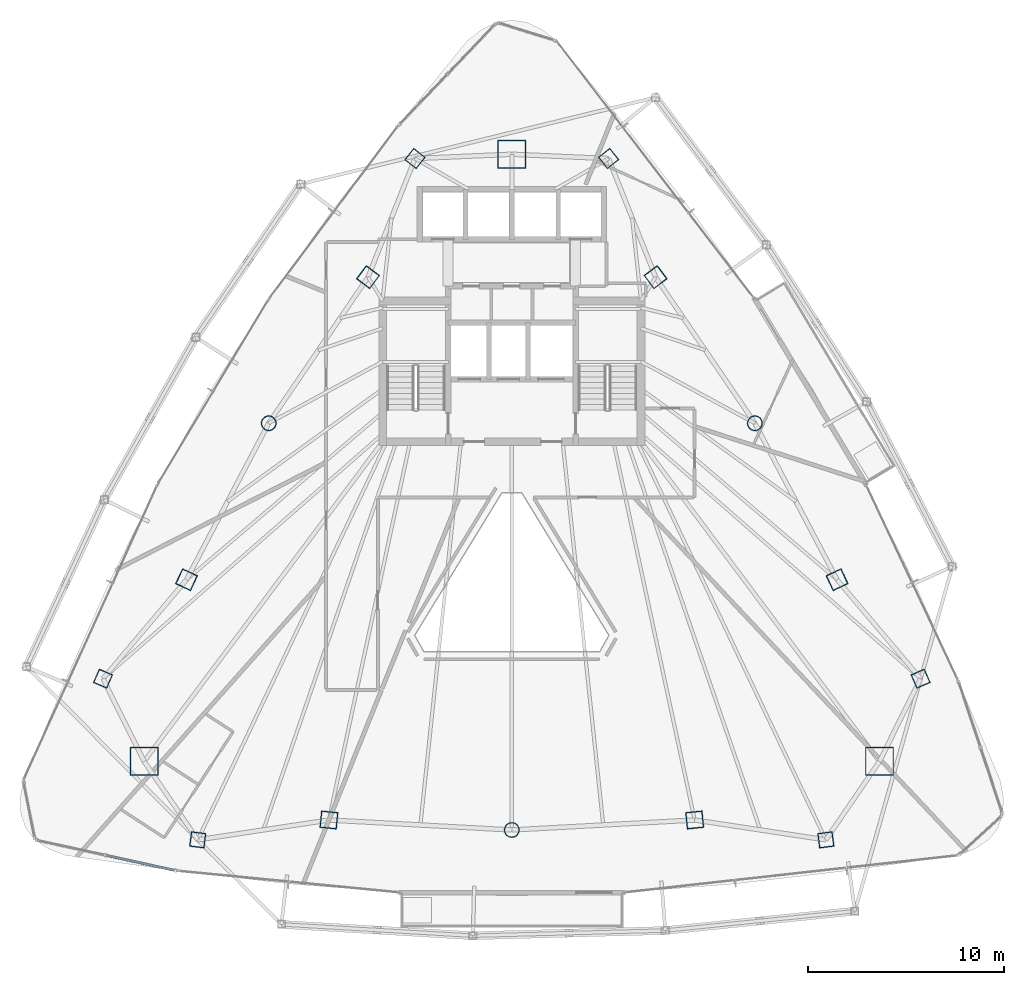
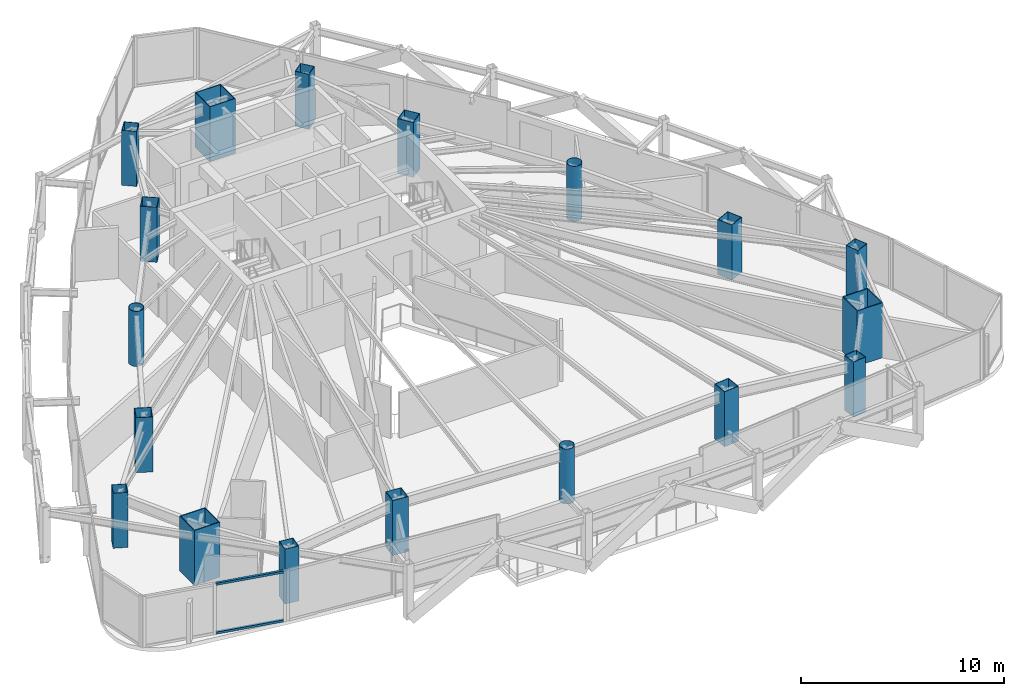
# One storey, part 1 of 31: 18 columns, 2 members, 1 element without a shape of its own.
"""IFC4 building model written with IfcOpenShell, lengths in metres."""

from ifc_helpers import new_model, si_unit, direction, frame, origin, origin_2d, place, context, subcontext, project, spatial, hollow_rectangle, hollow_circle, extrude, material, layer, layer_set, material_profile, profile_set, type_object, element, aggregate, save


model = new_model("IFC4")

# Units and contexts
model_context = context("Model", 3, precision=1e-05, world=origin(), true_north=direction((0.0, 1.0)))
body_context = subcontext(model_context, "Body", "Model", "MODEL_VIEW")
ifc_project = project(units=[si_unit("LENGTHUNIT", "METRE"), si_unit("AREAUNIT", "SQUARE_METRE"), si_unit("VOLUMEUNIT", "CUBIC_METRE"), si_unit("PLANEANGLEUNIT", "RADIAN"), si_unit("MASSUNIT", "GRAM", prefix="KILO")], contexts=[model_context])

# Site, building, storey
site_placement = place(None, origin())
site = spatial("IfcSite", under=ifc_project, at=site_placement, CompositionType="ELEMENT")
building_placement = place(site_placement, origin())
building = spatial("IfcBuilding", under=site, at=building_placement, Name="Orvanel Arch Residences", CompositionType="ELEMENT")
storey_placement = place(building_placement, frame((0.0, 0.0, 150.64990234375)))
storey = spatial("IfcBuildingStorey", under=building, at=storey_placement, Name="L42", CompositionType="ELEMENT", Elevation=150.64990234375)

# Columns
ifc_material_1 = material(Name="Structural steel AS/NZS 1163 C450L0 (Grade 450)", Category="steel")
ifc_material_profile_1 = material_profile(ifc_material_1, hollow_circle(Radius=0.381103515625, WallThickness=0.02197265625, at=origin_2d()), Name="CHS762x22")
ifc_profile_set_1 = profile_set([ifc_material_profile_1], Name="Structural steel AS/NZS 1163 C450L0 (Grade 450)")
column_type_1 = type_object("IfcColumnType", Name="CC-762", PredefinedType="COLUMN", material=ifc_profile_set_1)
for number, where, z_axis, x_axis, name in (
    (1, (20.569091796875, 27.64111328125, 0.0), (0.0, 0.0, 1.0), (1.0, 0.0, 0.0), "L42 High-Rise Tube Column 02"),
    (2, (33.0, 6.843994140625, 0.0), (0.0, 0.0, 1.0), (1.0, 0.0, 0.0), "L42 High-Rise Tube Column 05"),
    (3, (45.430908203125, 27.64111328125, 0.0), (0.0, 0.0, 1.0), (1.0, 0.0, 0.0), "L42 High-Rise Tube Column 08"),
):
    element("IfcColumn", number, at=place(storey_placement, frame(where, z_axis=z_axis, x_axis=x_axis)), inside=storey, type_object=column_type_1, Name=name, PredefinedType="COLUMN", context=body_context, shape_type="SweptSolid", body=[
        extrude(hollow_circle(Radius=0.381103515625, WallThickness=0.02197265625, at=origin_2d()), origin(), (0.0, 0.0, 1.0), 3.300048828125),
    ])
ifc_material_2 = material(Name="Structural steel AS/NZS 3678 Grade 450", Category="steel")
ifc_material_profile_2 = material_profile(ifc_material_2, hollow_rectangle(XDim=1.449951171875, YDim=1.449951171875, WallThickness=0.044921875, at=origin_2d()), Name="BOX1450x1450x45")
ifc_profile_set_2 = profile_set([ifc_material_profile_2], Name="Structural steel AS/NZS 3678 Grade 450")
column_type_2 = type_object("IfcColumnType", Name="MC-1450", PredefinedType="COLUMN", material=ifc_profile_set_2)
for number, where, z_axis, x_axis, name in (
    (4, (33.0, 41.39794921875, 0.0), (0.0, 0.0, 1.0), (1.0, 0.0, 0.0), "L42 Corner Mega-Column 1"),
    (5, (14.198974609375, 10.35107421875, 0.0), (0.0, 0.0, 1.0), (1.0, 0.0, 0.0), "L42 Corner Mega-Column 2"),
    (6, (51.801025390625, 10.35107421875, 0.0), (0.0, 0.0, 1.0), (1.0, 0.0, 0.0), "L42 Corner Mega-Column 3"),
):
    element("IfcColumn", number, at=place(storey_placement, frame(where, z_axis=z_axis, x_axis=x_axis)), inside=storey, type_object=column_type_2, Name=name, PredefinedType="COLUMN", context=body_context, shape_type="SweptSolid", body=[
        extrude(hollow_rectangle(XDim=1.449951171875, YDim=1.449951171875, WallThickness=0.044921875, at=origin_2d()), origin(), (0.0, 0.0, 1.0), 3.300048828125),
    ])
ifc_material_3 = material(Name="Structural steel AS/NZS 3678 Grade 350", Category="steel")
ifc_material_profile_3 = material_profile(ifc_material_3, hollow_rectangle(XDim=0.75, YDim=0.75, WallThickness=0.02490234375, at=origin_2d()), Name="BOX750x750x25")
ifc_profile_set_3 = profile_set([ifc_material_profile_3], Name="Structural steel AS/NZS 3678 Grade 350")
column_type_3 = type_object("IfcColumnType", Name="TC-750", PredefinedType="COLUMN", material=ifc_profile_set_3)
for number, where, z_axis, x_axis, name in (
    (7, (28.050048828125, 41.177978515625, 0.0), (0.0, 0.0, 1.0), (0.623879596709, 0.781520472419, 0.0), "L42 Mid-Rise Buttress Tube Column 01"),
    (8, (12.094970703125, 14.580078125, 0.0), (0.0, 0.0, 1.0), (0.397147890635, 0.917754625684, 0.0), "L42 Mid-Rise Buttress Tube Column 02"),
    (9, (16.94091796875, 6.339111328125, 0.0), (0.0, 0.0, 1.0), (-0.99189444259, 0.127064608601, 0.0), "L42 Mid-Rise Buttress Tube Column 03"),
    (10, (49.05908203125, 6.339111328125, 0.0), (0.0, 0.0, 1.0), (0.99189444259, 0.127064608601, 0.0), "L42 Mid-Rise Buttress Tube Column 04"),
    (11, (53.905029296875, 14.580078125, 0.0), (0.0, 0.0, 1.0), (-0.397147890635, 0.917754625684, 0.0), "L42 Mid-Rise Buttress Tube Column 05"),
    (12, (37.949951171875, 41.177978515625, 0.0), (0.0, 0.0, 1.0), (-0.623879596709, 0.781520472419, 0.0), "L42 Mid-Rise Buttress Tube Column 06"),
):
    element("IfcColumn", number, at=place(storey_placement, frame(where, z_axis=z_axis, x_axis=x_axis)), inside=storey, type_object=column_type_3, Name=name, PredefinedType="COLUMN", context=body_context, shape_type="SweptSolid", body=[
        extrude(hollow_rectangle(XDim=0.75, YDim=0.75, WallThickness=0.02490234375, at=origin_2d()), origin(), (0.0, 0.0, 1.0), 3.300048828125),
    ])
ifc_material_profile_4 = material_profile(ifc_material_3, hollow_rectangle(XDim=0.85009765625, YDim=0.85009765625, WallThickness=0.028076171875, at=origin_2d()), Name="BOX850x850x28")
ifc_profile_set_4 = profile_set([ifc_material_profile_4], Name="Structural steel AS/NZS 3678 Grade 350")
column_type_4 = type_object("IfcColumnType", Name="TC-850", PredefinedType="COLUMN", material=ifc_profile_set_4)
for number, where, z_axis, x_axis, name in (
    (13, (25.64794921875, 35.113037109375, 0.0), (0.0, 0.0, 1.0), (0.600420225326, 0.799684658487, 0.0), "L42 High-Rise Tube Column 01"),
    (14, (16.366943359375, 19.64208984375, 0.0), (0.0, 0.0, 1.0), (0.422618261741, 0.906307787037, 0.0), "L42 High-Rise Tube Column 03"),
    (15, (23.64892578125, 7.35498046875, 0.0), (0.0, 0.0, 1.0), (-0.994880708829, 0.101056297183, 0.0), "L42 High-Rise Tube Column 04"),
    (16, (42.35107421875, 7.35498046875, 0.0), (0.0, 0.0, 1.0), (0.994880708829, 0.101056297183, 0.0), "L42 High-Rise Tube Column 06"),
    (17, (49.633056640625, 19.64208984375, 0.0), (0.0, 0.0, 1.0), (-0.422618261741, 0.906307787037, 0.0), "L42 High-Rise Tube Column 07"),
    (18, (40.35205078125, 35.113037109375, 0.0), (0.0, 0.0, 1.0), (-0.600420225326, 0.799684658487, 0.0), "L42 High-Rise Tube Column 09"),
):
    element("IfcColumn", number, at=place(storey_placement, frame(where, z_axis=z_axis, x_axis=x_axis)), inside=storey, type_object=column_type_4, Name=name, PredefinedType="COLUMN", context=body_context, shape_type="SweptSolid", body=[
        extrude(hollow_rectangle(XDim=0.85009765625, YDim=0.85009765625, WallThickness=0.028076171875, at=origin_2d()), origin(), (0.0, 0.0, 1.0), 3.300048828125),
    ])

# Curtain wall, members
ifc_material_4 = material(Name="Bronze-anodised aluminium AA6063-T6", Category="aluminium")
ifc_layer = layer(ifc_material_4, 0.18994140625)
ifc_layer_set = layer_set([ifc_layer], Name="Bronze-anodised aluminium AA6063-T6")
curtain_wall_type = type_object("IfcCurtainWallType", Name="CW5-CRN-SYS", PredefinedType="NOTDEFINED", material=ifc_layer_set)
curtain_wall_placement = place(storey_placement, origin())
curtain_wall = element("IfcCurtainWall", 19, at=curtain_wall_placement, inside=storey, type_object=curtain_wall_type, Name="L42 CW5-CRN-SYS Unitised Curtain Wall", PredefinedType="NOTDEFINED")
ifc_material_profile_5 = material_profile(ifc_material_4, hollow_rectangle(XDim=0.1298828125, YDim=0.1298828125, WallThickness=0.00439453125, at=origin_2d()), Name="ALU130x130x4.5")
ifc_profile_set_5 = profile_set([ifc_material_profile_5], Name="Bronze-anodised aluminium AA6063-T6")
member_type = type_object("IfcMemberType", Name="TRN-130x130", PredefinedType="USERDEFINED", material=ifc_profile_set_5)
member_1_placement = place(storey_placement, frame((12.326171875, 5.531005859375, 0.065185546875), z_axis=(0.976992072663, -0.213275619689, 0.0), x_axis=(0.213275619689, 0.976992072663, 0.0)))
member_1 = element("IfcMember", 20, at=member_1_placement, type_object=member_type, Name="CW-S5 transom 2.1", ObjectType="TRANSOM", PredefinedType="USERDEFINED", context=body_context, shape_type="SweptSolid", body=[
    extrude(hollow_rectangle(XDim=0.1298828125, YDim=0.1298828125, WallThickness=0.00439453125, at=origin_2d()), origin(), (0.0, 0.0, 1.0), 3.47412109375),
])
member_2_placement = place(storey_placement, frame((12.326171875, 5.531005859375, 2.9951171875), z_axis=(0.976992072663, -0.213275619689, 0.0), x_axis=(0.213275619689, 0.976992072663, 0.0)))
member_2 = element("IfcMember", 21, at=member_2_placement, type_object=member_type, Name="CW-S5 transom 2.2", ObjectType="TRANSOM", PredefinedType="USERDEFINED", context=body_context, shape_type="SweptSolid", body=[
    extrude(hollow_rectangle(XDim=0.1298828125, YDim=0.1298828125, WallThickness=0.00439453125, at=origin_2d()), origin(), (0.0, 0.0, 1.0), 3.47412109375),
])
aggregate(curtain_wall, [member_1, member_2])

save(model, "model.ifc")
